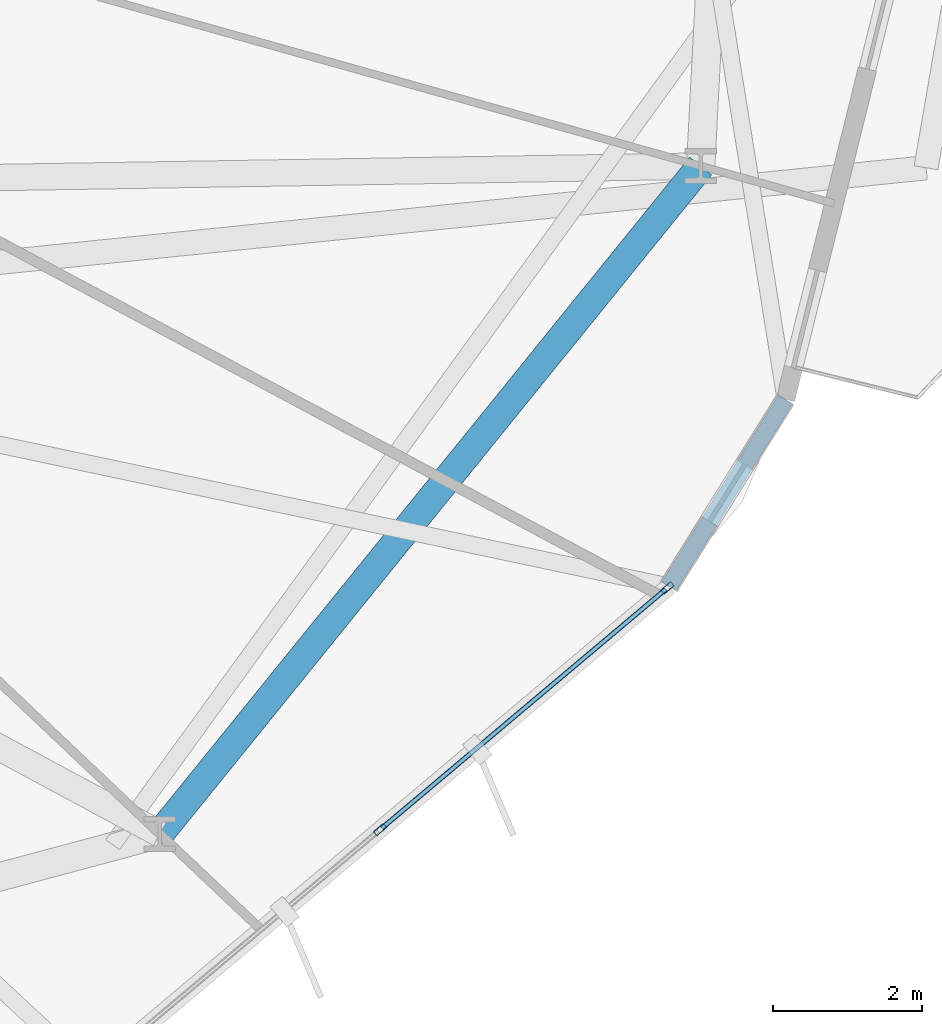
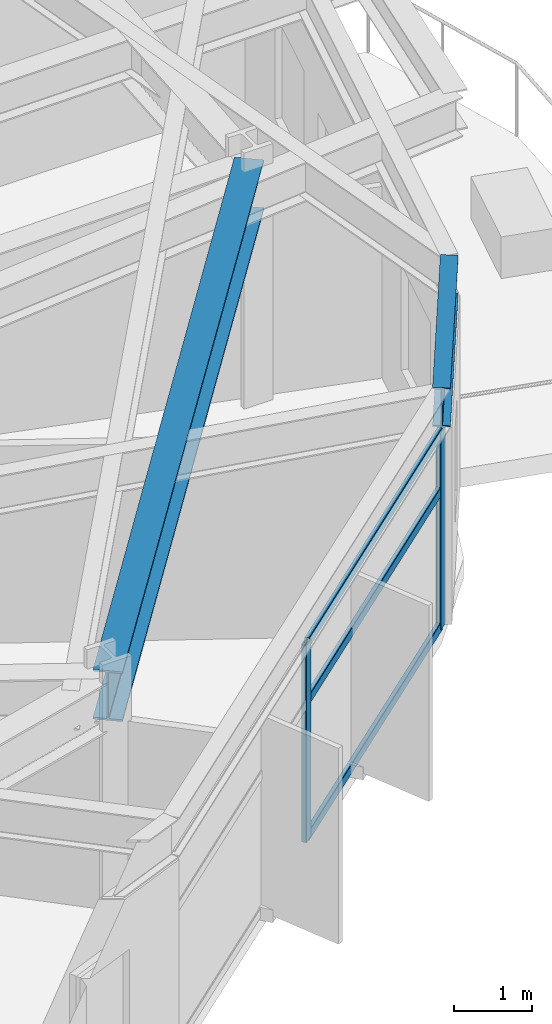
# One storey, part 9 of 22: 5 members, 2 beams, 1 element without a shape of its own.
"""IFC4 building model written with IfcOpenShell, lengths in metres."""

from ifc_helpers import new_model, si_unit, direction, frame, origin, origin_2d, place, context, subcontext, project, spatial, hollow_rectangle, i_section, extrude, material, layer, layer_set, material_profile, profile_set, type_object, element, aggregate, save


model = new_model("IFC4")

# Units and contexts
model_context = context("Model", 3, precision=1e-05, world=origin(), true_north=direction((0.0, 1.0)))
body_context = subcontext(model_context, "Body", "Model", "MODEL_VIEW")
ifc_project = project(units=[si_unit("LENGTHUNIT", "METRE"), si_unit("AREAUNIT", "SQUARE_METRE"), si_unit("VOLUMEUNIT", "CUBIC_METRE"), si_unit("PLANEANGLEUNIT", "RADIAN"), si_unit("MASSUNIT", "GRAM", prefix="KILO")], contexts=[model_context])

# Site, building, storey
site_placement = place(None, origin())
site = spatial("IfcSite", under=ifc_project, at=site_placement, CompositionType="ELEMENT")
building_placement = place(site_placement, origin())
building = spatial("IfcBuilding", under=site, at=building_placement, Name="Soratama Intermodal Tower", CompositionType="ELEMENT")
storey_placement = place(building_placement, frame((0.0, 0.0, 42.60009765625)))
storey = spatial("IfcBuildingStorey", under=building, at=storey_placement, Name="L09", CompositionType="ELEMENT", Elevation=42.60009765625)

# Beams
ifc_material_1 = material(Name="Structural steel ASTM A992 Grade 50", Category="steel")
ifc_material_profile_1 = material_profile(ifc_material_1, i_section(OverallWidth=0.382080078125, OverallDepth=0.779052734375, WebThickness=0.01806640625, FlangeThickness=0.030029296875, FilletRadius=0.01806640625, at=origin_2d()), Name="W30X191")
ifc_profile_set_1 = profile_set([ifc_material_profile_1], Name="Structural steel ASTM A992 Grade 50")
beam_type_1 = type_object("IfcBeamType", Name="BM-RING-W30X191", PredefinedType="BEAM", material=ifc_profile_set_1)
beam_1_placement = place(storey_placement, frame((55.196044921875, 9.300048828125, 3.310302734375), z_axis=(0.629334198857, 0.777134779912, 0.0), x_axis=(-0.777134779912, 0.629334198857, 0.0)))
element("IfcBeam", 1, at=beam_1_placement, inside=storey, type_object=beam_type_1, Name="BM-L09-RING-09", PredefinedType="BEAM", context=body_context, shape_type="SweptSolid", body=[
    extrude(i_section(OverallWidth=0.382080078125, OverallDepth=0.779052734375, WebThickness=0.01806640625, FlangeThickness=0.030029296875, FilletRadius=0.01806640625, at=origin_2d()), origin(), (0.0, 0.0, 1.0), 11.5693359375),
])
ifc_material_2 = material(Name="Structural steel ASTM A992 Grade 50", Category="steel")
ifc_material_profile_2 = material_profile(ifc_material_2, i_section(OverallWidth=0.22900390625, OverallDepth=0.612060546875, WebThickness=0.011962890625, FlangeThickness=0.01953125, FilletRadius=0.012939453125, at=origin_2d()), Name="W24X84")
ifc_profile_set_2 = profile_set([ifc_material_profile_2], Name="Structural steel ASTM A992 Grade 50")
beam_type_2 = type_object("IfcBeamType", Name="BM-SPN-W24X84", PredefinedType="SPANDREL", material=ifc_profile_set_2)
beam_2_placement = place(storey_placement, frame((62.051025390625, 12.631103515625, 3.393798828125), z_axis=(0.528896322566, 0.848686443851, 0.0), x_axis=(-0.848686443851, 0.528896322566, 0.0)))
element("IfcBeam", 2, at=beam_2_placement, inside=storey, type_object=beam_type_2, Name="BS-L09-CRN09", PredefinedType="SPANDREL", context=body_context, shape_type="SweptSolid", body=[
    extrude(i_section(OverallWidth=0.22900390625, OverallDepth=0.612060546875, WebThickness=0.011962890625, FlangeThickness=0.01953125, FilletRadius=0.012939453125, at=origin_2d()), origin(), (0.0, 0.0, 1.0), 2.966796875),
])

# Curtain wall, members
ifc_material_3 = material(Name="Double-glazed aluminium curtain wall", Category="aluminium")
ifc_layer = layer(ifc_material_3, 0.159912109375)
ifc_layer_set = layer_set([ifc_layer], Name="Double-glazed aluminium curtain wall")
curtain_wall_type = type_object("IfcCurtainWallType", Name="CW-SYS-2", PredefinedType="NOTDEFINED", material=ifc_layer_set)
curtain_wall_placement = place(storey_placement, origin())
curtain_wall = element("IfcCurtainWall", 3, at=curtain_wall_placement, inside=storey, type_object=curtain_wall_type, Name="L09 Faceted Curtain Wall F09", PredefinedType="NOTDEFINED")
ifc_material_4 = material(Name="Anodised aluminium AA 6063-T6", Category="aluminium")
ifc_material_profile_3 = material_profile(ifc_material_4, hollow_rectangle(XDim=0.074951171875, YDim=0.179931640625, WallThickness=0.006103515625, InnerFilletRadius=0.006103515625, OuterFilletRadius=0.011962890625, at=origin_2d()), Name="CWM180X75X6")
ifc_profile_set_3 = profile_set([ifc_material_profile_3], Name="Anodised aluminium AA 6063-T6")
member_type_1 = type_object("IfcMemberType", Name="MT-CWM-2", PredefinedType="MULLION", material=ifc_profile_set_3)
member_1_placement = place(storey_placement, frame((58.162109375, 9.3583984375, 0.0), z_axis=(0.0, 0.0, 1.0), x_axis=(-0.643853061672, 0.765149158645, 0.0)))
member_1 = element("IfcMember", 4, at=member_1_placement, type_object=member_type_1, Name="CW-2 mullion 2", PredefinedType="MULLION", context=body_context, shape_type="SweptSolid", body=[
    extrude(hollow_rectangle(XDim=0.074951171875, YDim=0.179931640625, WallThickness=0.006103515625, InnerFilletRadius=0.006103515625, OuterFilletRadius=0.011962890625, at=origin_2d()), origin(), (0.0, 0.0, 1.0), 3.078857421875),
])
member_2_placement = place(storey_placement, frame((62.028076171875, 12.611572265625, 0.0), z_axis=(0.0, 0.0, 1.0), x_axis=(-0.643853061672, 0.765149158645, 0.0)))
member_2 = element("IfcMember", 5, at=member_2_placement, type_object=member_type_1, Name="CW-2 mullion 3", PredefinedType="MULLION", context=body_context, shape_type="SweptSolid", body=[
    extrude(hollow_rectangle(XDim=0.074951171875, YDim=0.179931640625, WallThickness=0.006103515625, InnerFilletRadius=0.006103515625, OuterFilletRadius=0.011962890625, at=origin_2d()), origin(), (0.0, 0.0, 1.0), 3.078857421875),
])
ifc_material_5 = material(Name="Anodised aluminium AA 6063-T6", Category="aluminium")
ifc_material_profile_4 = material_profile(ifc_material_5, hollow_rectangle(XDim=0.06494140625, YDim=0.14990234375, WallThickness=0.0048828125, InnerFilletRadius=0.0048828125, OuterFilletRadius=0.010009765625, at=origin_2d()), Name="CWT150X65X5")
ifc_profile_set_4 = profile_set([ifc_material_profile_4], Name="Anodised aluminium AA 6063-T6")
member_type_2 = type_object("IfcMemberType", Name="TT-CWT-1", PredefinedType="USERDEFINED", material=ifc_profile_set_4)
member_3_placement = place(storey_placement, frame((58.18505859375, 9.377685546875, 0.02978515625), z_axis=(0.765138135341, 0.643866161439, 0.0), x_axis=(-0.643866161439, 0.765138135341, 0.0)))
member_3 = element("IfcMember", 6, at=member_3_placement, type_object=member_type_2, Name="CW-2 transom 2.1", ObjectType="TRANSOM", PredefinedType="USERDEFINED", context=body_context, shape_type="SweptSolid", body=[
    extrude(hollow_rectangle(XDim=0.06494140625, YDim=0.14990234375, WallThickness=0.0048828125, InnerFilletRadius=0.0048828125, OuterFilletRadius=0.010009765625, at=origin_2d()), origin(), (0.0, 0.0, 1.0), 4.99267578125),
])
member_4_placement = place(storey_placement, frame((58.18505859375, 9.377685546875, 2.14990234375), z_axis=(0.765138135341, 0.643866161439, 0.0), x_axis=(-0.643866161439, 0.765138135341, 0.0)))
member_4 = element("IfcMember", 7, at=member_4_placement, type_object=member_type_2, Name="CW-2 transom 2.2", ObjectType="TRANSOM", PredefinedType="USERDEFINED", context=body_context, shape_type="SweptSolid", body=[
    extrude(hollow_rectangle(XDim=0.06494140625, YDim=0.14990234375, WallThickness=0.0048828125, InnerFilletRadius=0.0048828125, OuterFilletRadius=0.010009765625, at=origin_2d()), origin(), (0.0, 0.0, 1.0), 4.99267578125),
])
member_5_placement = place(storey_placement, frame((58.18505859375, 9.377685546875, 3.048828125), z_axis=(0.765138135341, 0.643866161439, 0.0), x_axis=(-0.643866161439, 0.765138135341, 0.0)))
member_5 = element("IfcMember", 8, at=member_5_placement, type_object=member_type_2, Name="CW-2 transom 2.3", ObjectType="TRANSOM", PredefinedType="USERDEFINED", context=body_context, shape_type="SweptSolid", body=[
    extrude(hollow_rectangle(XDim=0.06494140625, YDim=0.14990234375, WallThickness=0.0048828125, InnerFilletRadius=0.0048828125, OuterFilletRadius=0.010009765625, at=origin_2d()), origin(), (0.0, 0.0, 1.0), 4.99267578125),
])
aggregate(curtain_wall, [member_1, member_2, member_3, member_4, member_5])

save(model, "model.ifc")
